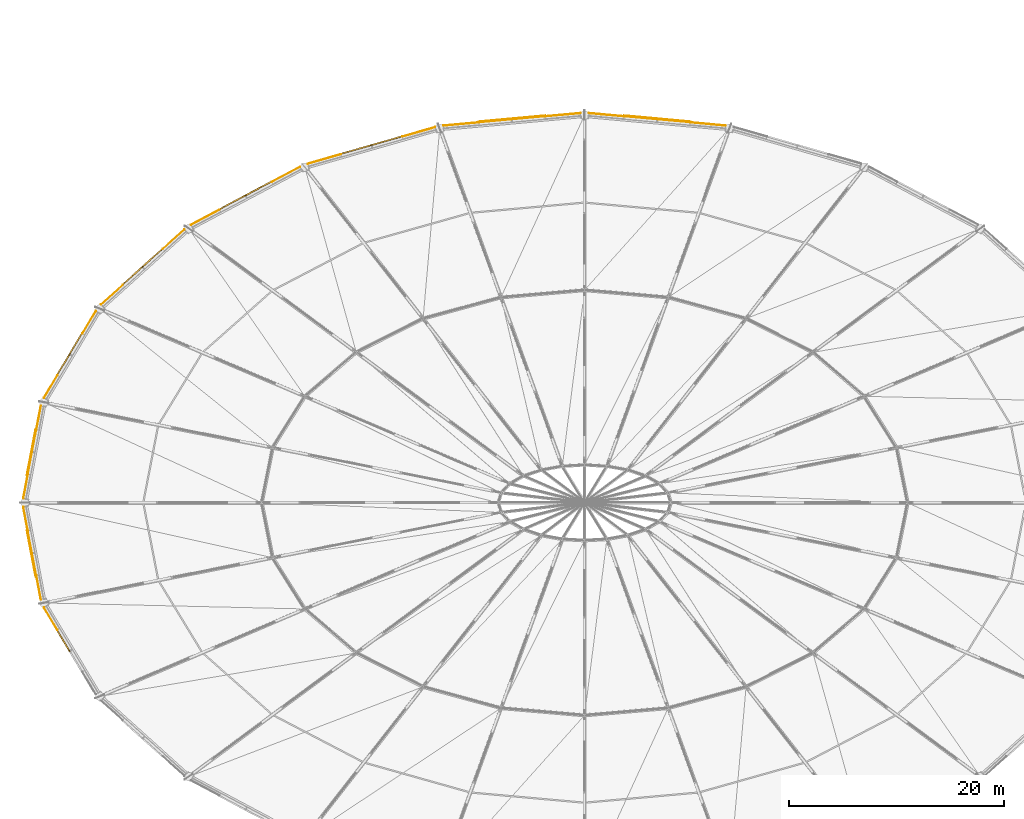
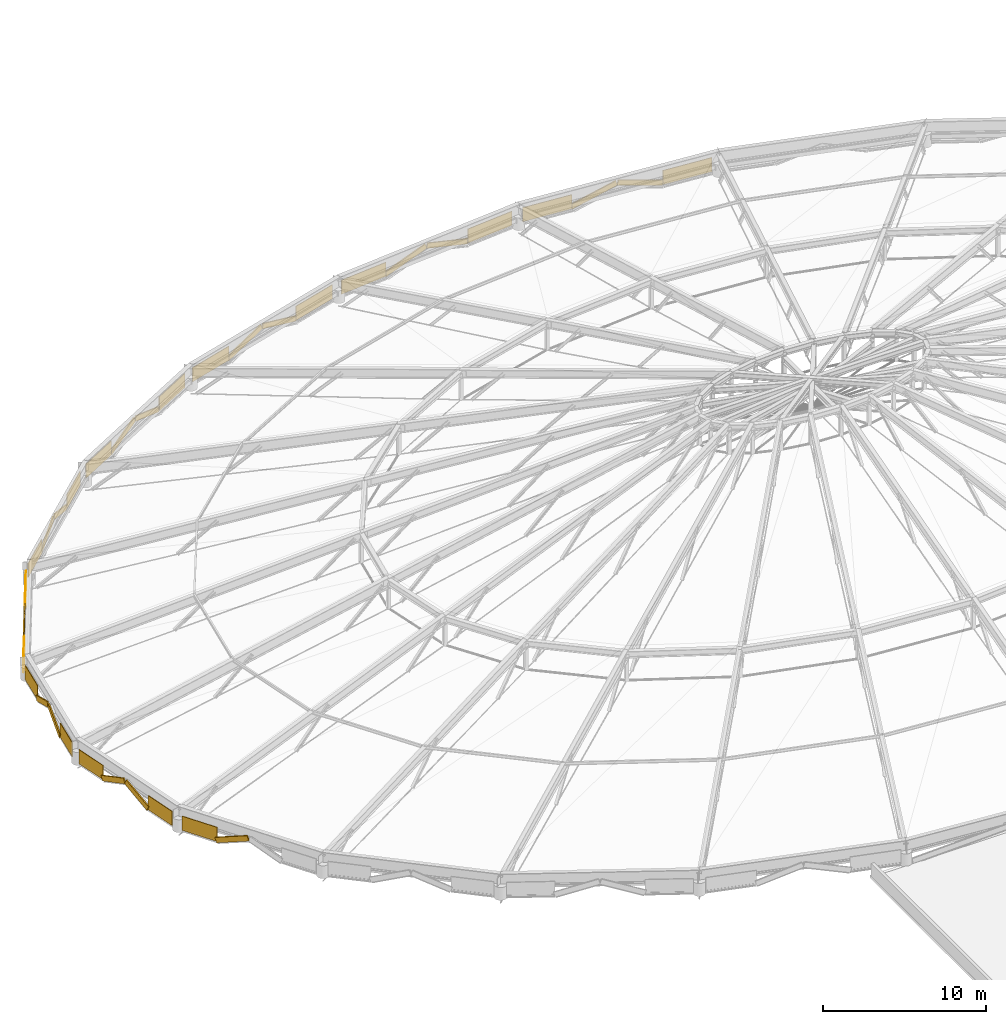
# One storey, part 77 of 83: 34 coverings.
"""IFC4 building model written with IfcOpenShell, lengths in metres."""

from ifc_helpers import new_model, si_unit, direction, frame, frame_2d, origin, origin_2d, place, context, subcontext, project, spatial, rectangle, extrude, material, layer, layer_set, type_object, element, save


model = new_model("IFC4")

# Units and contexts
model_context = context("Model", 3, precision=1e-05, world=origin(), true_north=direction((0.0, 1.0)))
body_context = subcontext(model_context, "Body", "Model", "MODEL_VIEW")
ifc_project = project(units=[si_unit("LENGTHUNIT", "METRE"), si_unit("AREAUNIT", "SQUARE_METRE"), si_unit("VOLUMEUNIT", "CUBIC_METRE"), si_unit("PLANEANGLEUNIT", "RADIAN"), si_unit("MASSUNIT", "GRAM", prefix="KILO")], contexts=[model_context])

# Site, building, storey
site_placement = place(None, origin())
site = spatial("IfcSite", under=ifc_project, at=site_placement, CompositionType="ELEMENT")
building_placement = place(site_placement, origin())
building = spatial("IfcBuilding", under=site, at=building_placement, Name="Kivolera Central Railway Station", CompositionType="ELEMENT")
storey_placement = place(building_placement, frame((0.0, 0.0, 14.39990234375)))
storey = spatial("IfcBuildingStorey", under=building, at=storey_placement, Name="L03", CompositionType="ELEMENT", Elevation=14.39990234375)

# Coverings
ifc_material_1 = material(Name="Precast concrete C40/50", Category="concrete")
ifc_layer_1 = layer(ifc_material_1, 0.090087890625, Name="Precast concrete C40/50")
ifc_layer_set_1 = layer_set([ifc_layer_1], Name="Precast concrete C40/50")
covering_type_1 = type_object("IfcCoveringType", Name="COV-CLAUSTRA-90", PredefinedType="CLADDING", material=ifc_layer_set_1)
covering_1_placement = place(storey_placement, frame((72.319091796875, 125.498046875, 0.735107421875), z_axis=(-0.955743282717, 0.087112830974, 0.281009131917), x_axis=(0.090789260019, 0.995870127208, 0.0)))
element("IfcCovering", 1, at=covering_1_placement, inside=storey, type_object=covering_type_1, Name="Oval Lantern Arch Spandrel Extrados Trim 06.3", PredefinedType="CLADDING", context=body_context, shape_type="SweptSolid", body=[
    extrude(rectangle(XDim=0.090087890625, YDim=0.3798828125, at=origin_2d()), frame((0.0, 0.0, -1.6015625)), (0.0, 0.0, 1.0), 3.202880859375),
])
for number, where, z_axis, x_axis, name in (
    (2, (69.18603515625, 125.782958984375, 0.735107421875), (-0.955716245332, 0.08713883403, -0.281093013098), (0.090789260019, 0.995870127208, 0.0), "Oval Lantern Arch Spandrel Extrados Trim 06.4"),
    (3, (58.81396484375, 125.782958984375, 0.735107421875), (-0.955716245332, -0.08713883403, 0.281093013098), (-0.090789260019, 0.995870127208, 0.0), "Oval Lantern Arch Spandrel Extrados Trim 07.3"),
):
    element("IfcCovering", number, at=place(storey_placement, frame(where, z_axis=z_axis, x_axis=x_axis)), inside=storey, type_object=covering_type_1, Name=name, PredefinedType="CLADDING", context=body_context, shape_type="SweptSolid", body=[
        extrude(rectangle(XDim=0.090087890625, YDim=0.3798828125, at=origin_2d()), frame((0.0, 0.0, -1.60107421875)), (0.0, 0.0, 1.0), 3.201904296875),
    ])
covering_2_placement = place(storey_placement, frame((55.680908203125, 125.498046875, 0.735107421875), z_axis=(-0.955743282717, -0.087112830974, -0.281009131917), x_axis=(-0.090789260019, 0.995870127208, 0.0)))
element("IfcCovering", 4, at=covering_2_placement, inside=storey, type_object=covering_type_1, Name="Oval Lantern Arch Spandrel Extrados Trim 07.4", PredefinedType="CLADDING", context=body_context, shape_type="SweptSolid", body=[
    extrude(rectangle(XDim=0.090087890625, YDim=0.3798828125, at=origin_2d()), frame((0.0, 0.0, -1.6015625)), (0.0, 0.0, 1.0), 3.202880859375),
])
for number, where, z_axis, x_axis, name in (
    (5, (45.658935546875, 123.637939453125, 0.734130859375), (-0.919713439261, -0.263698583075, 0.290844025083), (-0.275632123108, 0.961263196378, 0.0), "Oval Lantern Arch Spandrel Extrados Trim 08.3"),
    (6, (42.739990234375, 122.801025390625, 0.734130859375), (-0.919713439261, -0.263698583075, -0.290844025083), (-0.275632123108, 0.961263196378, 0.0), "Oval Lantern Arch Spandrel Extrados Trim 08.4"),
):
    element("IfcCovering", number, at=place(storey_placement, frame(where, z_axis=z_axis, x_axis=x_axis)), inside=storey, type_object=covering_type_1, Name=name, PredefinedType="CLADDING", context=body_context, shape_type="SweptSolid", body=[
        extrude(rectangle(XDim=0.090087890625, YDim=0.3798828125, at=origin_2d()), frame((0.0, 0.0, -1.546875)), (0.0, 0.0, 1.0), 3.093994140625),
    ])
for number, where, z_axis, x_axis, name in (
    (7, (33.748046875, 119.20703125, 0.734130859375), (-0.839370630004, -0.446238946002, 0.310367119002), (-0.469119253064, 0.88313482912, 0.0), "Oval Lantern Arch Spandrel Extrados Trim 09.3"),
    (8, (31.242919921875, 117.8759765625, 0.734130859375), (-0.839601563438, -0.445833602232, -0.310325013162), (-0.469119253064, 0.88313482912, 0.0), "Oval Lantern Arch Spandrel Extrados Trim 09.4"),
):
    element("IfcCovering", number, at=place(storey_placement, frame(where, z_axis=z_axis, x_axis=x_axis)), inside=storey, type_object=covering_type_1, Name=name, PredefinedType="CLADDING", context=body_context, shape_type="SweptSolid", body=[
        extrude(rectangle(XDim=0.090087890625, YDim=0.3798828125, at=origin_2d()), frame((0.0, 0.0, -1.449951171875)), (0.0, 0.0, 1.0), 2.89990234375),
    ])
for number, where, z_axis, x_axis, name in (
    (9, (23.888916015625, 112.783935546875, 0.732177734375), (-0.698689607825, -0.630212758842, 0.338621780915), (-0.669922245859, 0.742431265844, 0.0), "Oval Lantern Arch Spandrel Extrados Trim 10.3"),
    (10, (21.966064453125, 111.050048828125, 0.732177734375), (-0.698689607825, -0.630212758842, -0.338621780915), (-0.669922245859, 0.742431265844, 0.0), "Oval Lantern Arch Spandrel Extrados Trim 10.4"),
):
    element("IfcCovering", number, at=place(storey_placement, frame(where, z_axis=z_axis, x_axis=x_axis)), inside=storey, type_object=covering_type_1, Name=name, PredefinedType="CLADDING", context=body_context, shape_type="SweptSolid", body=[
        extrude(rectangle(XDim=0.090087890625, YDim=0.3798828125, at=origin_2d()), frame((0.0, 0.0, -1.3291015625)), (0.0, 0.0, 1.0), 2.657958984375),
    ])
for number, where, z_axis, x_axis, name in (
    (11, (16.7548828125, 104.800048828125, 0.731201171875), (-0.476784191777, -0.797245697627, 0.370237939827), (-0.858137550629, 0.513419851778, 0.0), "Oval Lantern Arch Spandrel Extrados Trim 11.3"),
    (12, (15.5458984375, 102.779052734375, 0.731201171875), (-0.477101957855, -0.797089306757, -0.370165312887), (-0.858137550629, 0.513419851778, 0.0), "Oval Lantern Arch Spandrel Extrados Trim 11.4"),
):
    element("IfcCovering", number, at=place(storey_placement, frame(where, z_axis=z_axis, x_axis=x_axis)), inside=storey, type_object=covering_type_1, Name=name, PredefinedType="CLADDING", context=body_context, shape_type="SweptSolid", body=[
        extrude(rectangle(XDim=0.090087890625, YDim=0.3798828125, at=origin_2d()), frame((0.0, 0.0, -1.21533203125)), (0.0, 0.0, 1.0), 2.430908203125),
    ])
for number, where, z_axis, x_axis, name in (
    (13, (12.842041015625, 95.791015625, 0.72998046875), (-0.172021291081, -0.903330079428, 0.392942035186), (-0.982390210999, 0.18684077, 0.0), "Oval Lantern Arch Spandrel Extrados Trim 12.3"),
    (14, (12.428955078125, 93.6220703125, 0.72998046875), (-0.171597561058, -0.903397845307, -0.392971513133), (-0.982390210999, 0.18684077, 0.0), "Oval Lantern Arch Spandrel Extrados Trim 12.4"),
    (15, (12.428955078125, 86.3779296875, 0.72998046875), (0.171597561058, -0.903397845307, 0.392971513133), (-0.982390210999, -0.18684077, 0.0), "Oval Lantern Arch Spandrel Extrados Trim 13.3"),
    (16, (12.842041015625, 84.208984375, 0.72998046875), (0.172021291081, -0.903330079428, -0.392942035186), (-0.982390210999, -0.18684077, 0.0), "Oval Lantern Arch Spandrel Extrados Trim 13.4"),
):
    element("IfcCovering", number, at=place(storey_placement, frame(where, z_axis=z_axis, x_axis=x_axis)), inside=storey, type_object=covering_type_1, Name=name, PredefinedType="CLADDING", context=body_context, shape_type="SweptSolid", body=[
        extrude(rectangle(XDim=0.090087890625, YDim=0.3798828125, at=origin_2d()), frame((0.0, 0.0, -1.14501953125)), (0.0, 0.0, 1.0), 2.2900390625),
    ])
covering_3_placement = place(storey_placement, frame((15.5458984375, 77.220947265625, 0.731201171875), z_axis=(0.477101957855, -0.797089306757, 0.370165312887), x_axis=(-0.858137550629, -0.513419851778, 0.0)))
element("IfcCovering", 17, at=covering_3_placement, inside=storey, type_object=covering_type_1, Name="Oval Lantern Arch Spandrel Extrados Trim 14.3", PredefinedType="CLADDING", context=body_context, shape_type="SweptSolid", body=[
    extrude(rectangle(XDim=0.090087890625, YDim=0.3798828125, at=origin_2d()), frame((0.0, 0.0, -1.21533203125)), (0.0, 0.0, 1.0), 2.430908203125),
])
ifc_material_2 = material(Name="Terracotta clay tile", Category="masonry")
ifc_layer_2 = layer(ifc_material_2, 0.044921875, Name="Terracotta clay tile")
ifc_layer_set_2 = layer_set([ifc_layer_2], Name="Terracotta clay tile")
covering_type_2 = type_object("IfcCoveringType", Name="COV-TERRACOTTA-45", PredefinedType="CLADDING", material=ifc_layer_set_2)
covering_4_placement = place(storey_placement, frame((73.80908203125, 125.322021484375, 0.16015625), z_axis=(0.0, 0.0, 1.0), x_axis=(0.995851633323, -0.090991891986, 0.0)))
element("IfcCovering", 18, at=covering_4_placement, inside=storey, type_object=covering_type_2, Name="Oval Lantern Arch Spandrel Tympanum Cladding 06L", PredefinedType="CLADDING", context=body_context, shape_type="SweptSolid", body=[
    extrude(rectangle(XDim=3.329833984375, YDim=0.044921875, at=frame_2d((1.6650390625, 0.0))), origin(), (0.0, 0.0, 1.0), 1.06005859375),
])
for number, where, z_axis, x_axis, name in (
    (19, (64.373046875, 126.181884765625, 0.16015625), (0.0, 0.0, 1.0), (0.99587816747, -0.09070102291, 0.0), "Oval Lantern Arch Spandrel Tympanum Cladding 06R"),
    (20, (60.31103515625, 125.8798828125, 0.16015625), (0.0, 0.0, 1.0), (0.99587816747, 0.09070102291, 0.0), "Oval Lantern Arch Spandrel Tympanum Cladding 07L"),
):
    element("IfcCovering", number, at=place(storey_placement, frame(where, z_axis=z_axis, x_axis=x_axis)), inside=storey, type_object=covering_type_2, Name=name, PredefinedType="CLADDING", context=body_context, shape_type="SweptSolid", body=[
        extrude(rectangle(XDim=3.32958984375, YDim=0.044921875, at=frame_2d((1.664794921875, 0.0))), origin(), (0.0, 0.0, 1.0), 1.06005859375),
    ])
covering_5_placement = place(storey_placement, frame((50.875, 125.01904296875, 0.16015625), z_axis=(0.0, 0.0, 1.0), x_axis=(0.995851633323, 0.090991891986, 0.0)))
element("IfcCovering", 21, at=covering_5_placement, inside=storey, type_object=covering_type_2, Name="Oval Lantern Arch Spandrel Tympanum Cladding 07R", PredefinedType="CLADDING", context=body_context, shape_type="SweptSolid", body=[
    extrude(rectangle(XDim=3.329833984375, YDim=0.044921875, at=frame_2d((1.6650390625, 0.0))), origin(), (0.0, 0.0, 1.0), 1.06005859375),
])
for number, where, z_axis, x_axis, name in (
    (22, (47.056884765625, 123.998046875, 0.16015625), (0.0, 0.0, 1.0), (0.961262114071, 0.275635897612, 0.0), "Oval Lantern Arch Spandrel Tympanum Cladding 08L"),
    (23, (38.281982421875, 121.48193359375, 0.16015625), (0.0, 0.0, 1.0), (0.961262114071, 0.275635897612, 0.0), "Oval Lantern Arch Spandrel Tympanum Cladding 08R"),
):
    element("IfcCovering", number, at=place(storey_placement, frame(where, z_axis=z_axis, x_axis=x_axis)), inside=storey, type_object=covering_type_2, Name=name, PredefinedType="CLADDING", context=body_context, shape_type="SweptSolid", body=[
        extrude(rectangle(XDim=3.207275390625, YDim=0.044921875, at=frame_2d((1.603515625, 0.0))), origin(), (0.0, 0.0, 1.0), 1.06005859375),
    ])
covering_6_placement = place(storey_placement, frame((34.947998046875, 119.799072265625, 0.16015625), z_axis=(0.0, 0.0, 1.0), x_axis=(0.883188732157, 0.469017764472, 0.0)))
element("IfcCovering", 24, at=covering_6_placement, inside=storey, type_object=covering_type_2, Name="Oval Lantern Arch Spandrel Tympanum Cladding 09L", PredefinedType="CLADDING", context=body_context, shape_type="SweptSolid", body=[
    extrude(rectangle(XDim=2.98681640625, YDim=0.044921875, at=frame_2d((1.493408203125, 0.0))), origin(), (0.0, 0.0, 1.0), 1.06005859375),
])
covering_7_placement = place(storey_placement, frame((27.443115234375, 115.81201171875, 0.16015625), z_axis=(0.0, 0.0, 1.0), x_axis=(0.883116778071, 0.469153233272, 0.0)))
element("IfcCovering", 25, at=covering_7_placement, inside=storey, type_object=covering_type_2, Name="Oval Lantern Arch Spandrel Tympanum Cladding 09R", PredefinedType="CLADDING", context=body_context, shape_type="SweptSolid", body=[
    extrude(rectangle(XDim=2.986083984375, YDim=0.044921875, at=frame_2d((1.4931640625, 0.0))), origin(), (0.0, 0.0, 1.0), 1.06005859375),
])
for number, where, z_axis, x_axis, name in (
    (26, (24.81103515625, 113.56298828125, 0.16015625), (0.0, 0.0, 1.0), (0.742365783712, 0.669994808318, 0.0), "Oval Lantern Arch Spandrel Tympanum Cladding 10L"),
    (27, (19.0869140625, 108.39697265625, 0.16015625), (0.0, 0.0, 1.0), (0.742365783712, 0.669994808318, 0.0), "Oval Lantern Arch Spandrel Tympanum Cladding 10R"),
):
    element("IfcCovering", number, at=place(storey_placement, frame(where, z_axis=z_axis, x_axis=x_axis)), inside=storey, type_object=covering_type_2, Name=name, PredefinedType="CLADDING", context=body_context, shape_type="SweptSolid", body=[
        extrude(rectangle(XDim=2.708984375, YDim=0.044921875, at=frame_2d((1.3544921875, 0.0))), origin(), (0.0, 0.0, 1.0), 1.06005859375),
    ])
for number, where, z_axis, x_axis, name in (
    (28, (17.343994140625, 105.70703125, 0.16015625), (0.0, 0.0, 1.0), (0.513526675005, 0.858073629742, 0.0), "Oval Lantern Arch Spandrel Tympanum Cladding 11L"),
    (29, (13.77001953125, 99.73193359375, 0.16015625), (0.0, 0.0, 1.0), (0.51340920348, 0.858143921369, 0.0), "Oval Lantern Arch Spandrel Tympanum Cladding 11R"),
):
    element("IfcCovering", number, at=place(storey_placement, frame(where, z_axis=z_axis, x_axis=x_axis)), inside=storey, type_object=covering_type_2, Name=name, PredefinedType="CLADDING", context=body_context, shape_type="SweptSolid", body=[
        extrude(rectangle(XDim=2.446044921875, YDim=0.044921875, at=frame_2d((1.22314453125, 0.0))), origin(), (0.0, 0.0, 1.0), 1.06005859375),
    ])
for number, where, z_axis, x_axis, name in (
    (30, (13.068115234375, 96.76708984375, 0.16015625), (0.0, 0.0, 1.0), (0.186659612819, 0.982424647972, 0.0), "Oval Lantern Arch Spandrel Tympanum Cladding 12L"),
    (31, (11.85498046875, 90.388916015625, 0.16015625), (0.0, 0.0, 1.0), (0.186762910212, 0.982405015953, 0.0), "Oval Lantern Arch Spandrel Tympanum Cladding 12R"),
    (32, (12.281005859375, 87.3701171875, 0.16015625), (0.0, 0.0, 1.0), (-0.186762910212, 0.982405015953, 0.0), "Oval Lantern Arch Spandrel Tympanum Cladding 13L"),
    (33, (13.493896484375, 80.991943359375, 0.16015625), (0.0, 0.0, 1.0), (-0.186659612819, 0.982424647972, 0.0), "Oval Lantern Arch Spandrel Tympanum Cladding 13R"),
):
    element("IfcCovering", number, at=place(storey_placement, frame(where, z_axis=z_axis, x_axis=x_axis)), inside=storey, type_object=covering_type_2, Name=name, PredefinedType="CLADDING", context=body_context, shape_type="SweptSolid", body=[
        extrude(rectangle(XDim=2.281005859375, YDim=0.044921875, at=frame_2d((1.140625, 0.0))), origin(), (0.0, 0.0, 1.0), 1.06005859375),
    ])
covering_8_placement = place(storey_placement, frame((15.02587890625, 78.1689453125, 0.16015625), z_axis=(0.0, 0.0, 1.0), x_axis=(-0.51340920348, 0.858143921369, 0.0)))
element("IfcCovering", 34, at=covering_8_placement, inside=storey, type_object=covering_type_2, Name="Oval Lantern Arch Spandrel Tympanum Cladding 14L", PredefinedType="CLADDING", context=body_context, shape_type="SweptSolid", body=[
    extrude(rectangle(XDim=2.446044921875, YDim=0.044921875, at=frame_2d((1.22314453125, 0.0))), origin(), (0.0, 0.0, 1.0), 1.06005859375),
])

save(model, "model.ifc")
